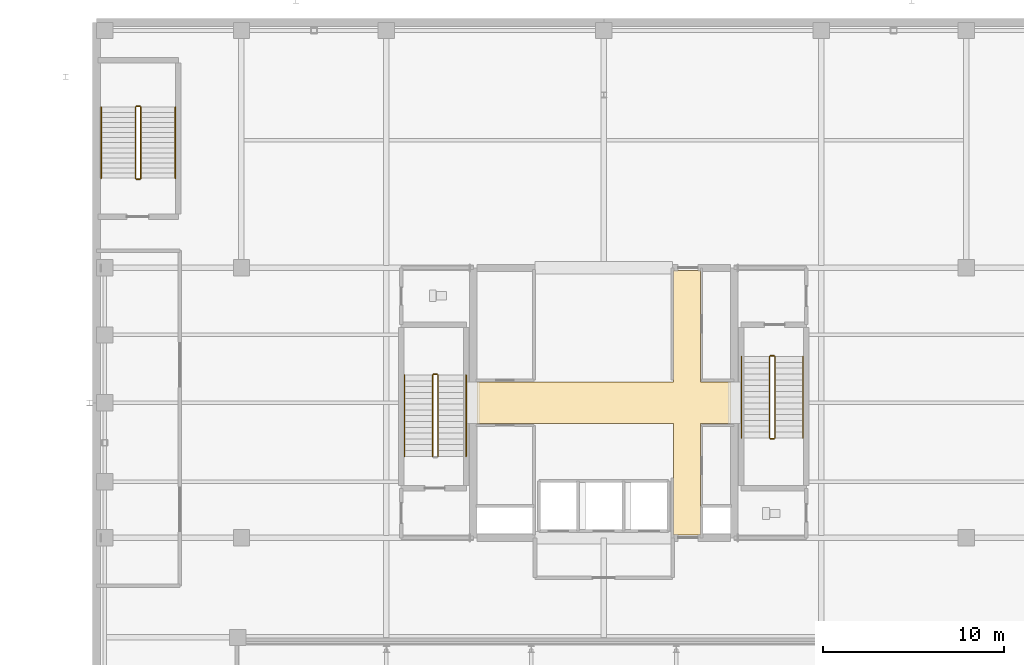
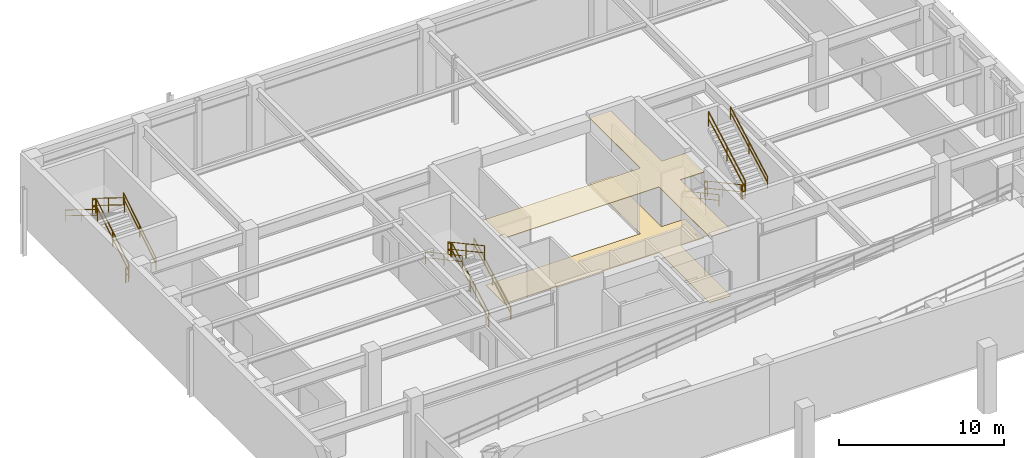
# One storey, part 15 of 16: 17 railings, 2 coverings.
"""IFC4 building model written with IfcOpenShell, lengths in metres."""

import ifcopenshell
import ifcopenshell.guid

model = None  # the IFC model being written
_history = None  # IfcOwnerHistory: only IFC2X3 demands one
_inside = {}  # id of a spatial element -> (the spatial element, [elements in it])
_under = {}  # id of a project, library or spatial element -> (it, [spatial elements below it])
_declared = {}  # id of a project -> (the project, [libraries it declares])
_typed = {}  # id of a type object -> (the type object, [elements of that type])
_made_of = {}  # id of a material, layer set ... -> (it, [elements and type objects made of it])


def new_model(schema):
    """Start an empty IFC model of exactly this schema.

    Asked for "IFC4X3", IfcOpenShell would pick the latest addendum, in which some entities
    have other attributes; the version numbers below select the first issue.
    IFC2X3 requires an IfcOwnerHistory on every rooted entity: one is made here for all.
    """
    global model, _history
    if schema == "IFC4X3":
        model = ifcopenshell.file(schema_version=(4, 3, 0, 0))
    else:
        model = ifcopenshell.file(schema=schema)
    _inside.clear()
    _under.clear()
    _declared.clear()
    _typed.clear()
    _made_of.clear()
    _history = None
    if model.schema == "IFC2X3":
        org = make("IfcOrganization", Name="unknown")
        user = make(
            "IfcPersonAndOrganization",
            ThePerson=make("IfcPerson", FamilyName="unknown"),
            TheOrganization=org,
        )
        app = make(
            "IfcApplication",
            ApplicationDeveloper=org,
            Version="unknown",
            ApplicationFullName="unknown",
            ApplicationIdentifier="unknown",
        )
        _history = make(
            "IfcOwnerHistory",
            OwningUser=user,
            OwningApplication=app,
            ChangeAction="ADDED",
            CreationDate=0,
        )
    return model


def make(cls, **values):
    """One entity of the class cls with the attributes given. An attribute that is None is left unset."""
    return model.create_entity(
        cls, **{name: value for name, value in values.items() if value is not None}
    )


def rooted(cls, **values):
    """An entity with a GlobalId (a new one), such as an element, a storey or a relation."""
    return make(cls, GlobalId=ifcopenshell.guid.new(), OwnerHistory=_history, **values)


def si_unit(unit_type, name, prefix=None):
    """IfcSIUnit, for example si_unit("LENGTHUNIT", "METRE", prefix="MILLI")."""
    return make("IfcSIUnit", UnitType=unit_type, Prefix=prefix, Name=name)


def assignment(units):
    """IfcUnitAssignment: the units of a project."""
    return None if units is None else make("IfcUnitAssignment", Units=units)


def point(xyz):
    """IfcCartesianPoint."""
    return None if xyz is None else make("IfcCartesianPoint", Coordinates=xyz)


def direction(xyz):
    """IfcDirection."""
    return None if xyz is None else make("IfcDirection", DirectionRatios=xyz)


def frame(location, z_axis=None, x_axis=None):
    """IfcAxis2Placement3D, a coordinate frame: its origin and axes. An axis left out is left unset."""
    return make(
        "IfcAxis2Placement3D",
        Location=point(location),
        Axis=direction(z_axis),
        RefDirection=direction(x_axis),
    )


def frame_2d(location, x_axis=None):
    """IfcAxis2Placement2D, a coordinate frame in the plane: its origin and x axis."""
    return make(
        "IfcAxis2Placement2D", Location=point(location), RefDirection=direction(x_axis)
    )


def origin():
    """The frame at (0, 0, 0) with its axes left unset."""
    return frame((0.0, 0.0, 0.0))


def origin_2d():
    """The frame at (0, 0) in the plane with its x axis left unset."""
    return frame_2d((0.0, 0.0))


def place(relative_to, where):
    """IfcLocalPlacement: puts the frame where relative to a parent placement (None: the world)."""
    return make(
        "IfcLocalPlacement", PlacementRelTo=relative_to, RelativePlacement=where
    )


def context(
    kind, dimensions, precision=None, world=None, true_north=None, identifier=None
):
    """IfcGeometricRepresentationContext, for example the 3D "Model" context."""
    return make(
        "IfcGeometricRepresentationContext",
        ContextIdentifier=identifier,
        ContextType=kind,
        CoordinateSpaceDimension=dimensions,
        Precision=precision,
        WorldCoordinateSystem=world,
        TrueNorth=true_north,
    )


def subcontext(parent, identifier, kind, view, scale=None):
    """IfcGeometricRepresentationSubContext, for example "Body" below "Model"."""
    return make(
        "IfcGeometricRepresentationSubContext",
        ContextIdentifier=identifier,
        ContextType=kind,
        ParentContext=parent,
        TargetScale=scale,
        TargetView=view,
    )


def project(units=None, contexts=None):
    """IfcProject with its units and contexts."""
    return rooted(
        "IfcProject",
        Name="project",
        RepresentationContexts=contexts,
        UnitsInContext=assignment(units),
    )


def spatial(cls, under=None, at=None, **own):
    """A site, building, storey or space (cls), placed at a placement, below another one or the project."""
    s = rooted(cls, ObjectPlacement=at, **own)
    if under is not None:
        _under.setdefault(under.id(), (under, []))[1].append(s)
    return s


def polyline(points):
    """IfcPolyline through the points."""
    return make("IfcPolyline", Points=[point(p) for p in points])


def profile(cls, at=None, kind="AREA", **sizes):
    """A parametric profile (cls). Its sizes go by their IFC names, for example OverallWidth=200.0."""
    return make(cls, ProfileType=kind, Position=at, **sizes)


def circle(**sizes):
    """IfcCircleProfileDef."""
    return profile("IfcCircleProfileDef", **sizes)


def outline(outer, holes=None, kind="AREA"):
    """IfcArbitraryClosedProfileDef: a profile drawn as a closed curve; with holes, ...WithVoids."""
    if holes is None:
        return make("IfcArbitraryClosedProfileDef", ProfileType=kind, OuterCurve=outer)
    return make(
        "IfcArbitraryProfileDefWithVoids",
        ProfileType=kind,
        OuterCurve=outer,
        InnerCurves=holes,
    )


def extrude(swept, where, along, depth):
    """IfcExtrudedAreaSolid: the profile swept, set in the frame where, extruded along a direction by depth."""
    return make(
        "IfcExtrudedAreaSolid",
        SweptArea=swept,
        Position=where,
        ExtrudedDirection=direction(along),
        Depth=depth,
    )


def shape(context_of_items, identifier, shape_type, items):
    """IfcShapeRepresentation: the items that make up one representation, for example the "Body"."""
    return make(
        "IfcShapeRepresentation",
        ContextOfItems=context_of_items,
        RepresentationIdentifier=identifier,
        RepresentationType=shape_type,
        Items=items,
    )


def material(Name=None, Category=None):
    """IfcMaterial."""
    return make("IfcMaterial", Name=Name, Category=Category)


def layer(
    of_material, thickness, ventilated=None, Name=None, Category=None, Priority=None
):
    """IfcMaterialLayer: one layer of a wall or slab, of a material (None: an air gap)."""
    return make(
        "IfcMaterialLayer",
        Material=of_material,
        LayerThickness=thickness,
        IsVentilated=ventilated,
        Name=Name,
        Category=Category,
        Priority=Priority,
    )


def layer_set(layers, Name=None):
    """IfcMaterialLayerSet."""
    return make("IfcMaterialLayerSet", MaterialLayers=layers, LayerSetName=Name)


def made_of(thing, what):
    """Note that an element or type object is made of a material, layer set ...; save() writes the relation."""
    if what is not None:
        _made_of.setdefault(what.id(), (what, []))[1].append(thing)
    return thing


def type_object(cls, material=None, **own):
    """A type object (cls), such as IfcWallType, which elements share."""
    return made_of(rooted(cls, **own), material)


def element(
    cls,
    number,
    at=None,
    inside=None,
    cuts=None,
    type_object=None,
    material=None,
    context=None,
    identifier="Body",
    shape_type=None,
    held_by="IfcProductDefinitionShape",
    body=None,
    shapes=None,
    **own,
):
    """One element of the class cls, such as IfcWall. Its Tag is "e" and its number.

    at: its placement. inside: the storey or other place that contains it. cuts: it is an
    opening in that element (IfcRelVoidsElement). A single representation is given by context,
    identifier, shape_type and body (its items); several are given by shapes. held_by: the class
    of the entity that holds the representations. save() writes the other relations.
    """
    e = rooted(cls, Tag="e%d" % number, ObjectPlacement=at, **own)
    if body is not None:
        shapes = [shape(context, identifier, shape_type, body)]
    if shapes is not None:
        e.Representation = make(held_by, Representations=shapes)
    if inside is not None:
        _inside.setdefault(inside.id(), (inside, []))[1].append(e)
    if cuts is not None:
        rooted(
            "IfcRelVoidsElement", RelatingBuildingElement=cuts, RelatedOpeningElement=e
        )
    if type_object is not None:
        _typed.setdefault(type_object.id(), (type_object, []))[1].append(e)
    return made_of(e, material)


def aggregate(whole, parts):
    """IfcRelAggregates: a whole, such as a stair, and the parts it consists of."""
    return rooted("IfcRelAggregates", RelatingObject=whole, RelatedObjects=parts)


def save(model, path):
    """Write the relations noted so far, then the file.

    IfcRelAggregates (storeys below a building ...), IfcRelContainedInSpatialStructure (elements
    in a storey), IfcRelDefinesByType, IfcRelAssociatesMaterial and IfcRelDeclares: one each for
    every whole, place, type object, material and project.
    """
    for whole, parts in _under.values():
        aggregate(whole, parts)
    for where, things in _inside.values():
        rooted(
            "IfcRelContainedInSpatialStructure",
            RelatedElements=things,
            RelatingStructure=where,
        )
    for kind, things in _typed.values():
        rooted("IfcRelDefinesByType", RelatedObjects=things, RelatingType=kind)
    for what, things in _made_of.values():
        rooted("IfcRelAssociatesMaterial", RelatedObjects=things, RelatingMaterial=what)
    for by, libraries in _declared.values():
        rooted("IfcRelDeclares", RelatingContext=by, RelatedDefinitions=libraries)
    model.write(path)


model = new_model("IFC4")

# Units and contexts
model_context = context("Model", 3, precision=1e-05, world=origin(), true_north=direction((0.0, 1.0)))
body_context = subcontext(model_context, "Body", "Model", "MODEL_VIEW")
ifc_project = project(units=[si_unit("LENGTHUNIT", "METRE"), si_unit("AREAUNIT", "SQUARE_METRE"), si_unit("VOLUMEUNIT", "CUBIC_METRE"), si_unit("PLANEANGLEUNIT", "RADIAN"), si_unit("MASSUNIT", "GRAM", prefix="KILO")], contexts=[model_context])

# Site, building, storey
site_placement = place(None, origin())
site = spatial("IfcSite", under=ifc_project, at=site_placement, CompositionType="ELEMENT")
building_placement = place(site_placement, origin())
building = spatial("IfcBuilding", under=site, at=building_placement, Name="Veldorina Hangang Commons", CompositionType="ELEMENT")
storey_placement = place(building_placement, frame((0.0, 0.0, -5.199951171875)))
storey = spatial("IfcBuildingStorey", under=building, at=storey_placement, Name="B01", CompositionType="ELEMENT", Elevation=-5.199951171875)

# Coverings
ifc_material_1 = material(Name="Mineral Fibre Acoustic Tile", Category="gypsum")
ifc_layer_1 = layer(ifc_material_1, 0.0400390625)
ifc_layer_set_1 = layer_set([ifc_layer_1], Name="Mineral Fibre Acoustic Tile")
covering_type_1 = type_object("IfcCoveringType", Name="COV-CEIL-AC60", PredefinedType="CEILING", material=ifc_layer_set_1)
covering_1_placement = place(storey_placement, frame((0.0, 0.0, 4.85986328125)))
element("IfcCovering", 1, at=covering_1_placement, inside=storey, type_object=covering_type_1, Name="B01 lobby suspended acoustic ceiling", PredefinedType="CEILING", context=body_context, shape_type="SweptSolid", body=[
    extrude(outline(polyline([(25.0, 22.85009765625), (35.85009765625, 22.85009765625), (35.85009765625, 16.699951171875), (37.35009765625, 16.699951171875), (37.35009765625, 22.85009765625), (39.0, 22.85009765625), (39.0, 25.14990234375), (37.35009765625, 25.14990234375), (37.35009765625, 31.300048828125), (35.85009765625, 31.300048828125), (35.85009765625, 25.14990234375), (25.0, 25.14990234375), (25.0, 22.85009765625)])), origin(), (0.0, 0.0, 1.0), 0.0400390625),
])
ifc_material_2 = material(Name="Stone Venetian Terrazzo", Category="masonry")
ifc_layer_2 = layer(ifc_material_2, 0.030029296875)
ifc_layer_set_2 = layer_set([ifc_layer_2], Name="Stone Venetian Terrazzo")
covering_type_2 = type_object("IfcCoveringType", Name="COV-FLR-TERZ", PredefinedType="FLOORING", material=ifc_layer_set_2)
covering_2_placement = place(storey_placement, origin())
element("IfcCovering", 2, at=covering_2_placement, inside=storey, type_object=covering_type_2, Name="B01 lobby terrazzo floor finish", PredefinedType="FLOORING", context=body_context, shape_type="SweptSolid", body=[
    extrude(outline(polyline([(25.0, 22.85009765625), (35.85009765625, 22.85009765625), (35.85009765625, 16.699951171875), (37.35009765625, 16.699951171875), (37.35009765625, 22.85009765625), (39.0, 22.85009765625), (39.0, 25.14990234375), (37.35009765625, 25.14990234375), (37.35009765625, 31.300048828125), (35.85009765625, 31.300048828125), (35.85009765625, 25.14990234375), (25.0, 25.14990234375), (25.0, 22.85009765625)])), origin(), (0.0, 0.0, 1.0), 0.030029296875),
])

# Railings
ifc_material_3 = material(Name="Steel Painted Balustrade", Category="steel")
railing_type_1 = type_object("IfcRailingType", Name="RL-GRD-STAIR", PredefinedType="GUARDRAIL", material=ifc_material_3)
railing_1_placement = place(storey_placement, frame((22.85009765625, 21.050048828125, 0.17333984375)))
element("IfcRailing", 3, at=railing_1_placement, inside=storey, type_object=railing_type_1, Name="B01 ST-1 stair guard 1", PredefinedType="GUARDRAIL", context=body_context, shape_type="SweptSolid", body=[
    extrude(circle(Radius=0.02392578125, at=origin_2d()), frame((0.0, 0.0, 1.076171875), z_axis=(0.0, 0.879303672525, 0.476261536852), x_axis=(-1.0, 0.0, 0.0)), (0.0, 0.0, 1.0), 5.094970703125),
    extrude(circle(Radius=0.02392578125, at=origin_2d()), frame((0.0, 0.0, 0.550048828125), z_axis=(0.0, 0.879303672525, 0.476261536852), x_axis=(-1.0, 0.0, 0.0)), (0.0, 0.0, 1.0), 5.094970703125),
    extrude(circle(Radius=0.02099609375, at=origin_2d()), origin(), (0.0, 0.0, 1.0), 1.052001953125),
    extrude(circle(Radius=0.02099609375, at=origin_2d()), frame((0.0, 2.239990234375, 1.21337890625)), (0.0, 0.0, 1.0), 1.052001953125),
    extrude(circle(Radius=0.02099609375, at=origin_2d()), frame((0.0, 4.47998046875, 2.426513671875)), (0.0, 0.0, 1.0), 1.052001953125),
])
railing_2_placement = place(storey_placement, frame((22.800048828125, 25.580078125, 2.599853515625)))
element("IfcRailing", 4, at=railing_2_placement, inside=storey, type_object=railing_type_1, Name="B01 ST-1 stair guard 2", PredefinedType="GUARDRAIL", context=body_context, shape_type="SweptSolid", body=[
    extrude(circle(Radius=0.02392578125, at=origin_2d()), frame((0.0, 0.0, 1.076171875), z_axis=(-1.0, 0.0, 0.0), x_axis=(0.0, -1.0, 0.0)), (0.0, 0.0, 1.0), 0.199951171875),
    extrude(circle(Radius=0.02392578125, at=origin_2d()), frame((0.0, 0.0, 0.550048828125), z_axis=(-1.0, 0.0, 0.0), x_axis=(0.0, -1.0, 0.0)), (0.0, 0.0, 1.0), 0.199951171875),
    extrude(circle(Radius=0.02099609375, at=origin_2d()), origin(), (0.0, 0.0, 1.0), 1.052001953125),
    extrude(circle(Radius=0.02099609375, at=origin_2d()), frame((-0.199951171875, 0.0, 0.0)), (0.0, 0.0, 1.0), 1.052001953125),
])
railing_3_placement = place(storey_placement, frame((22.550048828125, 25.530029296875, 2.773193359375)))
element("IfcRailing", 5, at=railing_3_placement, inside=storey, type_object=railing_type_1, Name="B01 ST-1 stair guard 3", PredefinedType="GUARDRAIL", context=body_context, shape_type="SweptSolid", body=[
    extrude(circle(Radius=0.02392578125, at=origin_2d()), frame((0.0, 0.0, 1.076171875), z_axis=(0.0, -0.879283604982, 0.476298584933), x_axis=(1.0, 0.0, 0.0)), (0.0, 0.0, 1.0), 5.094970703125),
    extrude(circle(Radius=0.02392578125, at=origin_2d()), frame((0.0, 0.0, 0.550048828125), z_axis=(0.0, -0.879283604982, 0.476298584933), x_axis=(1.0, 0.0, 0.0)), (0.0, 0.0, 1.0), 5.094970703125),
    extrude(circle(Radius=0.02099609375, at=origin_2d()), origin(), (0.0, 0.0, 1.0), 1.052001953125),
    extrude(circle(Radius=0.02099609375, at=origin_2d()), frame((0.0, -2.239990234375, 1.21337890625)), (0.0, 0.0, 1.0), 1.052001953125),
    extrude(circle(Radius=0.02099609375, at=origin_2d()), frame((0.0, -4.47998046875, 2.4267578125)), (0.0, 0.0, 1.0), 1.052001953125),
])
railing_4_placement = place(storey_placement, frame((41.14990234375, 26.550048828125, 0.17333984375)))
element("IfcRailing", 6, at=railing_4_placement, inside=storey, type_object=railing_type_1, Name="B01 ST-2 stair guard 1", PredefinedType="GUARDRAIL", context=body_context, shape_type="SweptSolid", body=[
    extrude(circle(Radius=0.02392578125, at=origin_2d()), frame((0.0, 0.0, 1.076171875), z_axis=(0.0, -0.879303672525, 0.476261536852), x_axis=(1.0, 0.0, 0.0)), (0.0, 0.0, 1.0), 5.094970703125),
    extrude(circle(Radius=0.02392578125, at=origin_2d()), frame((0.0, 0.0, 0.550048828125), z_axis=(0.0, -0.879303672525, 0.476261536852), x_axis=(1.0, 0.0, 0.0)), (0.0, 0.0, 1.0), 5.094970703125),
    extrude(circle(Radius=0.02099609375, at=origin_2d()), origin(), (0.0, 0.0, 1.0), 1.052001953125),
    extrude(circle(Radius=0.02099609375, at=origin_2d()), frame((0.0, -2.239990234375, 1.21337890625)), (0.0, 0.0, 1.0), 1.052001953125),
    extrude(circle(Radius=0.02099609375, at=origin_2d()), frame((0.0, -4.47998046875, 2.426513671875)), (0.0, 0.0, 1.0), 1.052001953125),
])
railing_5_placement = place(storey_placement, frame((41.199951171875, 22.02001953125, 2.599853515625)))
element("IfcRailing", 7, at=railing_5_placement, inside=storey, type_object=railing_type_1, Name="B01 ST-2 stair guard 2", PredefinedType="GUARDRAIL", context=body_context, shape_type="SweptSolid", body=[
    extrude(circle(Radius=0.02392578125, at=origin_2d()), frame((0.0, 0.0, 1.076171875), z_axis=(1.0, 0.0, 0.0), x_axis=(0.0, 1.0, 0.0)), (0.0, 0.0, 1.0), 0.199951171875),
    extrude(circle(Radius=0.02392578125, at=origin_2d()), frame((0.0, 0.0, 0.550048828125), z_axis=(1.0, 0.0, 0.0), x_axis=(0.0, 1.0, 0.0)), (0.0, 0.0, 1.0), 0.199951171875),
    extrude(circle(Radius=0.02099609375, at=origin_2d()), origin(), (0.0, 0.0, 1.0), 1.052001953125),
    extrude(circle(Radius=0.02099609375, at=origin_2d()), frame((0.199951171875, 0.0, 0.0)), (0.0, 0.0, 1.0), 1.052001953125),
])
railing_6_placement = place(storey_placement, frame((41.449951171875, 22.070068359375, 2.773193359375)))
element("IfcRailing", 8, at=railing_6_placement, inside=storey, type_object=railing_type_1, Name="B01 ST-2 stair guard 3", PredefinedType="GUARDRAIL", context=body_context, shape_type="SweptSolid", body=[
    extrude(circle(Radius=0.02392578125, at=origin_2d()), frame((0.0, 0.0, 1.076171875), z_axis=(0.0, 0.879283604982, 0.476298584933), x_axis=(-1.0, 0.0, 0.0)), (0.0, 0.0, 1.0), 5.094970703125),
    extrude(circle(Radius=0.02392578125, at=origin_2d()), frame((0.0, 0.0, 0.550048828125), z_axis=(0.0, 0.879283604982, 0.476298584933), x_axis=(-1.0, 0.0, 0.0)), (0.0, 0.0, 1.0), 5.094970703125),
    extrude(circle(Radius=0.02099609375, at=origin_2d()), origin(), (0.0, 0.0, 1.0), 1.052001953125),
    extrude(circle(Radius=0.02099609375, at=origin_2d()), frame((0.0, 2.239990234375, 1.21337890625)), (0.0, 0.0, 1.0), 1.052001953125),
    extrude(circle(Radius=0.02099609375, at=origin_2d()), frame((0.0, 4.47998046875, 2.4267578125)), (0.0, 0.0, 1.0), 1.052001953125),
])
railing_7_placement = place(storey_placement, frame((41.199951171875, 26.60009765625, 0.0)))
element("IfcRailing", 9, at=railing_7_placement, inside=storey, type_object=railing_type_1, Name="B01 ST-2 stair guard 4", PredefinedType="GUARDRAIL", context=body_context, shape_type="SweptSolid", body=[
    extrude(circle(Radius=0.02392578125, at=origin_2d()), frame((0.0, 0.0, 1.076171875), z_axis=(1.0, 0.0, 0.0), x_axis=(0.0, 1.0, 0.0)), (0.0, 0.0, 1.0), 0.199951171875),
    extrude(circle(Radius=0.02392578125, at=origin_2d()), frame((0.0, 0.0, 0.550048828125), z_axis=(1.0, 0.0, 0.0), x_axis=(0.0, 1.0, 0.0)), (0.0, 0.0, 1.0), 0.199951171875),
    extrude(circle(Radius=0.02099609375, at=origin_2d()), origin(), (0.0, 0.0, 1.0), 1.052001953125),
    extrude(circle(Radius=0.02099609375, at=origin_2d()), frame((0.199951171875, 0.0, 0.0)), (0.0, 0.0, 1.0), 1.052001953125),
])
railing_8_placement = place(storey_placement, frame((6.449951171875, 36.39990234375, 0.17333984375)))
element("IfcRailing", 10, at=railing_8_placement, inside=storey, type_object=railing_type_1, Name="B01 ST-P1 stair guard 1", PredefinedType="GUARDRAIL", context=body_context, shape_type="SweptSolid", body=[
    extrude(circle(Radius=0.02392578125, at=origin_2d()), frame((0.0, 0.0, 1.076171875), z_axis=(0.0, 0.850289973577, 0.526314507528), x_axis=(-1.0, 0.0, 0.0)), (0.0, 0.0, 1.0), 4.6103515625),
    extrude(circle(Radius=0.02392578125, at=origin_2d()), frame((0.0, 0.0, 0.550048828125), z_axis=(0.0, 0.850289973577, 0.526314507528), x_axis=(-1.0, 0.0, 0.0)), (0.0, 0.0, 1.0), 4.6103515625),
    extrude(circle(Radius=0.02099609375, at=origin_2d()), origin(), (0.0, 0.0, 1.0), 1.052001953125),
    extrude(circle(Radius=0.02099609375, at=origin_2d()), frame((0.0, 1.9599609375, 1.21337890625)), (0.0, 0.0, 1.0), 1.052001953125),
    extrude(circle(Radius=0.02099609375, at=origin_2d()), frame((0.0, 3.920166015625, 2.426513671875)), (0.0, 0.0, 1.0), 1.052001953125),
])
railing_9_placement = place(storey_placement, frame((6.39990234375, 40.3701171875, 2.599853515625)))
element("IfcRailing", 11, at=railing_9_placement, inside=storey, type_object=railing_type_1, Name="B01 ST-P1 stair guard 2", PredefinedType="GUARDRAIL", context=body_context, shape_type="SweptSolid", body=[
    extrude(circle(Radius=0.02392578125, at=origin_2d()), frame((0.0, 0.0, 1.076171875), z_axis=(-1.0, 0.0, 0.0), x_axis=(0.0, -1.0, 0.0)), (0.0, 0.0, 1.0), 0.199951171875),
    extrude(circle(Radius=0.02392578125, at=origin_2d()), frame((0.0, 0.0, 0.550048828125), z_axis=(-1.0, 0.0, 0.0), x_axis=(0.0, -1.0, 0.0)), (0.0, 0.0, 1.0), 0.199951171875),
    extrude(circle(Radius=0.02099609375, at=origin_2d()), origin(), (0.0, 0.0, 1.0), 1.052001953125),
    extrude(circle(Radius=0.02099609375, at=origin_2d()), frame((-0.199951171875, 0.0, 0.0)), (0.0, 0.0, 1.0), 1.052001953125),
])
railing_10_placement = place(storey_placement, frame((6.14990234375, 40.320068359375, 2.773193359375)))
element("IfcRailing", 12, at=railing_10_placement, inside=storey, type_object=railing_type_1, Name="B01 ST-P1 stair guard 3", PredefinedType="GUARDRAIL", context=body_context, shape_type="SweptSolid", body=[
    extrude(circle(Radius=0.02392578125, at=origin_2d()), frame((0.0, 0.0, 1.076171875), z_axis=(0.0, -0.850266275192, 0.526352791643), x_axis=(1.0, 0.0, 0.0)), (0.0, 0.0, 1.0), 4.610595703125),
    extrude(circle(Radius=0.02392578125, at=origin_2d()), frame((0.0, 0.0, 0.550048828125), z_axis=(0.0, -0.850266275192, 0.526352791643), x_axis=(1.0, 0.0, 0.0)), (0.0, 0.0, 1.0), 4.610595703125),
    extrude(circle(Radius=0.02099609375, at=origin_2d()), origin(), (0.0, 0.0, 1.0), 1.052001953125),
    extrude(circle(Radius=0.02099609375, at=origin_2d()), frame((0.0, -1.9599609375, 1.21337890625)), (0.0, 0.0, 1.0), 1.052001953125),
    extrude(circle(Radius=0.02099609375, at=origin_2d()), frame((0.0, -3.920166015625, 2.4267578125)), (0.0, 0.0, 1.0), 1.052001953125),
])
railing_11_placement = place(storey_placement, frame((6.39990234375, 36.35009765625, 0.0)))
element("IfcRailing", 13, at=railing_11_placement, inside=storey, type_object=railing_type_1, Name="B01 ST-P1 stair guard 4", PredefinedType="GUARDRAIL", context=body_context, shape_type="SweptSolid", body=[
    extrude(circle(Radius=0.02392578125, at=origin_2d()), frame((0.0, 0.0, 1.076171875), z_axis=(-1.0, 0.0, 0.0), x_axis=(0.0, -1.0, 0.0)), (0.0, 0.0, 1.0), 0.199951171875),
    extrude(circle(Radius=0.02392578125, at=origin_2d()), frame((0.0, 0.0, 0.550048828125), z_axis=(-1.0, 0.0, 0.0), x_axis=(0.0, -1.0, 0.0)), (0.0, 0.0, 1.0), 0.199951171875),
    extrude(circle(Radius=0.02099609375, at=origin_2d()), origin(), (0.0, 0.0, 1.0), 1.052001953125),
    extrude(circle(Radius=0.02099609375, at=origin_2d()), frame((-0.199951171875, 0.0, 0.0)), (0.0, 0.0, 1.0), 1.052001953125),
])
ifc_material_4 = material(Name="Stainless Steel Brushed 316", Category="steel")
railing_type_2 = type_object("IfcRailingType", Name="RL-HND-STAIR", PredefinedType="HANDRAIL", material=ifc_material_4)
railing_12_placement = place(storey_placement, frame((24.39990234375, 21.050048828125, 0.17333984375)))
element("IfcRailing", 14, at=railing_12_placement, inside=storey, type_object=railing_type_2, Name="B01 ST-1 stair handrail 1", PredefinedType="HANDRAIL", context=body_context, shape_type="SweptSolid", body=[
    extrude(circle(Radius=0.02392578125, at=origin_2d()), frame((0.0, 0.0, 0.8759765625), z_axis=(0.0, 0.879303672525, 0.476261536852), x_axis=(-1.0, 0.0, 0.0)), (0.0, 0.0, 1.0), 5.094970703125),
    extrude(circle(Radius=0.02392578125, at=origin_2d()), frame((0.0, 0.0, 0.449951171875), z_axis=(0.0, 0.879303672525, 0.476261536852), x_axis=(-1.0, 0.0, 0.0)), (0.0, 0.0, 1.0), 5.094970703125),
    extrude(circle(Radius=0.02099609375, at=origin_2d()), origin(), (0.0, 0.0, 1.0), 0.851806640625),
    extrude(circle(Radius=0.02099609375, at=origin_2d()), frame((0.0, 2.239990234375, 1.21337890625)), (0.0, 0.0, 1.0), 0.851806640625),
    extrude(circle(Radius=0.02099609375, at=origin_2d()), frame((0.0, 4.47998046875, 2.426513671875)), (0.0, 0.0, 1.0), 0.851806640625),
])
railing_13_placement = place(storey_placement, frame((21.0, 25.530029296875, 2.773193359375)))
element("IfcRailing", 15, at=railing_13_placement, inside=storey, type_object=railing_type_2, Name="B01 ST-1 stair handrail 2", PredefinedType="HANDRAIL", context=body_context, shape_type="SweptSolid", body=[
    extrude(circle(Radius=0.02392578125, at=origin_2d()), frame((0.0, 0.0, 0.8759765625), z_axis=(0.0, -0.879283604982, 0.476298584933), x_axis=(1.0, 0.0, 0.0)), (0.0, 0.0, 1.0), 5.094970703125),
    extrude(circle(Radius=0.02392578125, at=origin_2d()), frame((0.0, 0.0, 0.449951171875), z_axis=(0.0, -0.879283604982, 0.476298584933), x_axis=(1.0, 0.0, 0.0)), (0.0, 0.0, 1.0), 5.094970703125),
    extrude(circle(Radius=0.02099609375, at=origin_2d()), origin(), (0.0, 0.0, 1.0), 0.851806640625),
    extrude(circle(Radius=0.02099609375, at=origin_2d()), frame((0.0, -2.239990234375, 1.21337890625)), (0.0, 0.0, 1.0), 0.851806640625),
    extrude(circle(Radius=0.02099609375, at=origin_2d()), frame((0.0, -4.47998046875, 2.4267578125)), (0.0, 0.0, 1.0), 0.851806640625),
])
railing_14_placement = place(storey_placement, frame((39.60009765625, 26.550048828125, 0.17333984375)))
element("IfcRailing", 16, at=railing_14_placement, inside=storey, type_object=railing_type_2, Name="B01 ST-2 stair handrail 1", PredefinedType="HANDRAIL", context=body_context, shape_type="SweptSolid", body=[
    extrude(circle(Radius=0.02392578125, at=origin_2d()), frame((0.0, 0.0, 0.8759765625), z_axis=(0.0, -0.879303672525, 0.476261536852), x_axis=(1.0, 0.0, 0.0)), (0.0, 0.0, 1.0), 5.094970703125),
    extrude(circle(Radius=0.02392578125, at=origin_2d()), frame((0.0, 0.0, 0.449951171875), z_axis=(0.0, -0.879303672525, 0.476261536852), x_axis=(1.0, 0.0, 0.0)), (0.0, 0.0, 1.0), 5.094970703125),
    extrude(circle(Radius=0.02099609375, at=origin_2d()), origin(), (0.0, 0.0, 1.0), 0.851806640625),
    extrude(circle(Radius=0.02099609375, at=origin_2d()), frame((0.0, -2.239990234375, 1.21337890625)), (0.0, 0.0, 1.0), 0.851806640625),
    extrude(circle(Radius=0.02099609375, at=origin_2d()), frame((0.0, -4.47998046875, 2.426513671875)), (0.0, 0.0, 1.0), 0.851806640625),
])
railing_15_placement = place(storey_placement, frame((43.0, 22.070068359375, 2.773193359375)))
element("IfcRailing", 17, at=railing_15_placement, inside=storey, type_object=railing_type_2, Name="B01 ST-2 stair handrail 2", PredefinedType="HANDRAIL", context=body_context, shape_type="SweptSolid", body=[
    extrude(circle(Radius=0.02392578125, at=origin_2d()), frame((0.0, 0.0, 0.8759765625), z_axis=(0.0, 0.879283604982, 0.476298584933), x_axis=(-1.0, 0.0, 0.0)), (0.0, 0.0, 1.0), 5.094970703125),
    extrude(circle(Radius=0.02392578125, at=origin_2d()), frame((0.0, 0.0, 0.449951171875), z_axis=(0.0, 0.879283604982, 0.476298584933), x_axis=(-1.0, 0.0, 0.0)), (0.0, 0.0, 1.0), 5.094970703125),
    extrude(circle(Radius=0.02099609375, at=origin_2d()), origin(), (0.0, 0.0, 1.0), 0.851806640625),
    extrude(circle(Radius=0.02099609375, at=origin_2d()), frame((0.0, 2.239990234375, 1.21337890625)), (0.0, 0.0, 1.0), 0.851806640625),
    extrude(circle(Radius=0.02099609375, at=origin_2d()), frame((0.0, 4.47998046875, 2.4267578125)), (0.0, 0.0, 1.0), 0.851806640625),
])
railing_16_placement = place(storey_placement, frame((8.35009765625, 36.39990234375, 0.17333984375)))
element("IfcRailing", 18, at=railing_16_placement, inside=storey, type_object=railing_type_2, Name="B01 ST-P1 stair handrail 1", PredefinedType="HANDRAIL", context=body_context, shape_type="SweptSolid", body=[
    extrude(circle(Radius=0.02392578125, at=origin_2d()), frame((0.0, 0.0, 0.8759765625), z_axis=(0.0, 0.850289973577, 0.526314507528), x_axis=(-1.0, 0.0, 0.0)), (0.0, 0.0, 1.0), 4.6103515625),
    extrude(circle(Radius=0.02392578125, at=origin_2d()), frame((0.0, 0.0, 0.449951171875), z_axis=(0.0, 0.850289973577, 0.526314507528), x_axis=(-1.0, 0.0, 0.0)), (0.0, 0.0, 1.0), 4.6103515625),
    extrude(circle(Radius=0.02099609375, at=origin_2d()), origin(), (0.0, 0.0, 1.0), 0.851806640625),
    extrude(circle(Radius=0.02099609375, at=origin_2d()), frame((0.0, 1.9599609375, 1.21337890625)), (0.0, 0.0, 1.0), 0.851806640625),
    extrude(circle(Radius=0.02099609375, at=origin_2d()), frame((0.0, 3.920166015625, 2.426513671875)), (0.0, 0.0, 1.0), 0.851806640625),
])
railing_17_placement = place(storey_placement, frame((4.25, 40.320068359375, 2.773193359375)))
element("IfcRailing", 19, at=railing_17_placement, inside=storey, type_object=railing_type_2, Name="B01 ST-P1 stair handrail 2", PredefinedType="HANDRAIL", context=body_context, shape_type="SweptSolid", body=[
    extrude(circle(Radius=0.02392578125, at=origin_2d()), frame((0.0, 0.0, 0.8759765625), z_axis=(0.0, -0.850266275192, 0.526352791643), x_axis=(1.0, 0.0, 0.0)), (0.0, 0.0, 1.0), 4.610595703125),
    extrude(circle(Radius=0.02392578125, at=origin_2d()), frame((0.0, 0.0, 0.449951171875), z_axis=(0.0, -0.850266275192, 0.526352791643), x_axis=(1.0, 0.0, 0.0)), (0.0, 0.0, 1.0), 4.610595703125),
    extrude(circle(Radius=0.02099609375, at=origin_2d()), origin(), (0.0, 0.0, 1.0), 0.851806640625),
    extrude(circle(Radius=0.02099609375, at=origin_2d()), frame((0.0, -1.9599609375, 1.21337890625)), (0.0, 0.0, 1.0), 0.851806640625),
    extrude(circle(Radius=0.02099609375, at=origin_2d()), frame((0.0, -3.920166015625, 2.4267578125)), (0.0, 0.0, 1.0), 0.851806640625),
])

save(model, "model.ifc")
